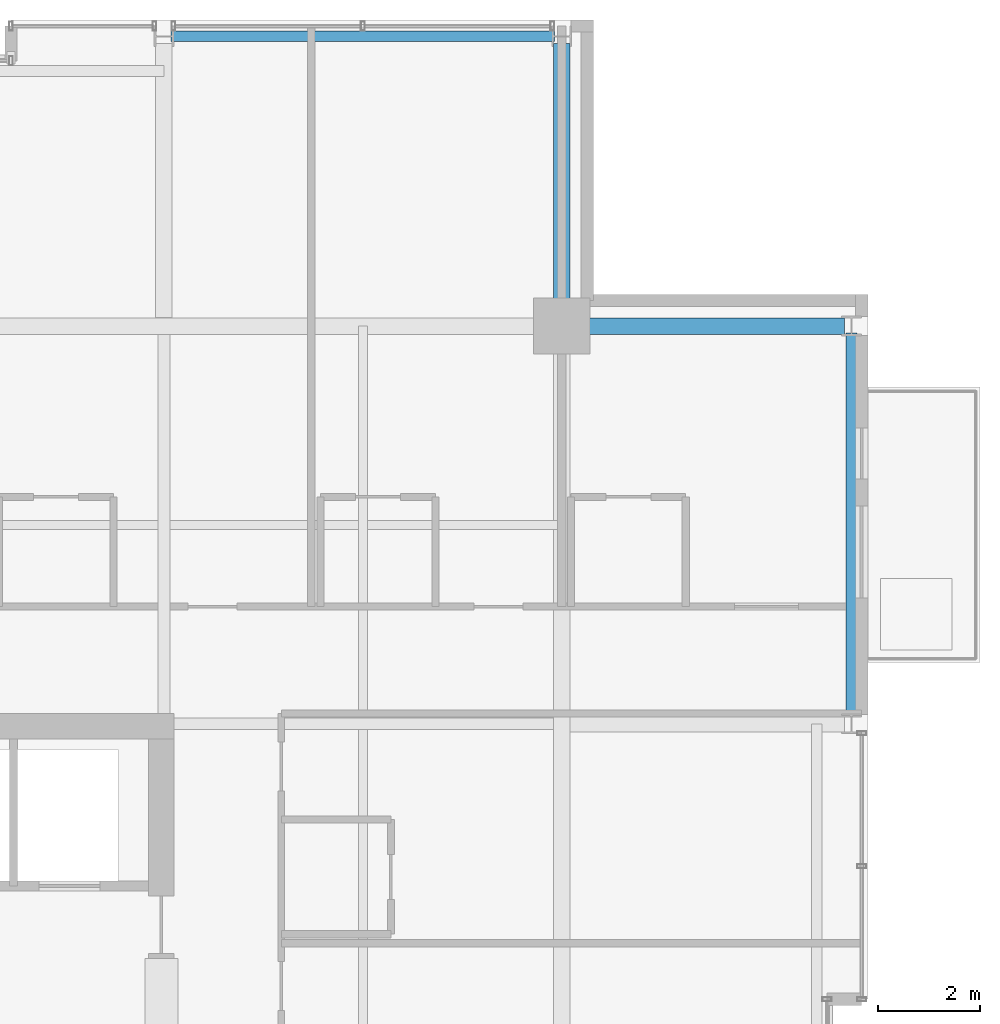
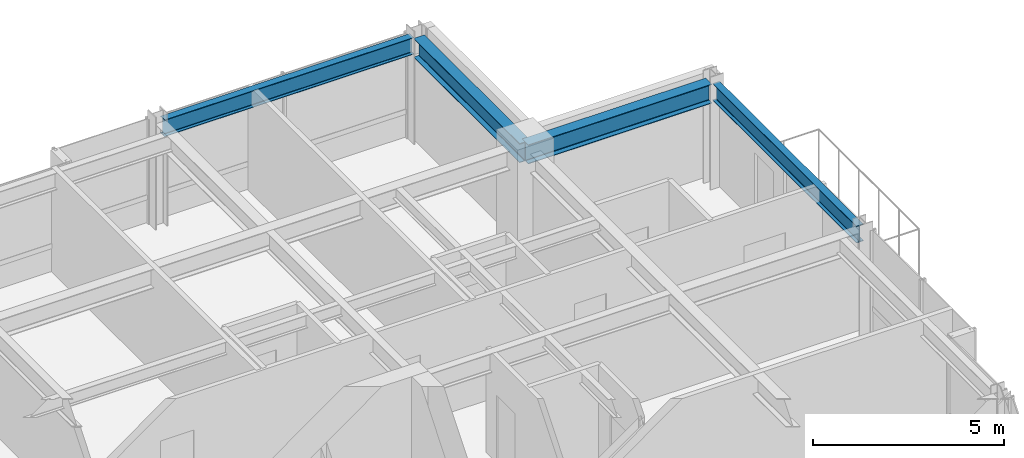
# One storey, part 23 of 33: 4 beams.
"""IFC4 building model written with IfcOpenShell, lengths in metres."""

from ifc_helpers import new_model, si_unit, direction, frame, origin, origin_2d, place, context, subcontext, project, spatial, i_section, extrude, material, material_profile, profile_set, type_object, element, save


model = new_model("IFC4")

# Units and contexts
model_context = context("Model", 3, precision=1e-05, world=origin(), true_north=direction((0.0, 1.0)))
body_context = subcontext(model_context, "Body", "Model", "MODEL_VIEW")
ifc_project = project(units=[si_unit("LENGTHUNIT", "METRE"), si_unit("AREAUNIT", "SQUARE_METRE"), si_unit("VOLUMEUNIT", "CUBIC_METRE"), si_unit("PLANEANGLEUNIT", "RADIAN"), si_unit("MASSUNIT", "GRAM", prefix="KILO")], contexts=[model_context])

# Site, building, storey
site_placement = place(None, origin())
site = spatial("IfcSite", under=ifc_project, at=site_placement, CompositionType="ELEMENT")
building_placement = place(site_placement, origin())
building = spatial("IfcBuilding", under=site, at=building_placement, Name="Drelvath Grand Hotel", CompositionType="ELEMENT")
storey_placement = place(building_placement, frame((0.0, 0.0, 212.300048828125)))
storey = spatial("IfcBuildingStorey", under=building, at=storey_placement, Name="L55", CompositionType="ELEMENT", Elevation=212.300048828125)

# Beams
ifc_material = material(Name="Steel ASTM A992 Gr 50", Category="steel")
ifc_material_profile_1 = material_profile(ifc_material, i_section(OverallWidth=0.210205078125, OverallDepth=0.53662109375, WebThickness=0.010986328125, FlangeThickness=0.017333984375, FilletRadius=0.01806640625, at=origin_2d()), Name="W21X68")
ifc_profile_set_1 = profile_set([ifc_material_profile_1], Name="Steel ASTM A992 Gr 50")
beam_type_1 = type_object("IfcBeamType", Name="Perimeter Spandrel Beam W21X68", PredefinedType="SPANDREL", material=ifc_profile_set_1)
for number, where, z_axis, x_axis, name in (
    (1, (21.8798828125, 35.5400390625, 3.071533203125), (0.0, 1.0, 0.0), (-1.0, 0.0, 0.0), "L55 Spandrel East N"),
    (2, (8.5400390625, 48.8798828125, 3.071533203125), (1.0, 0.0, 0.0), (0.0, 1.0, 0.0), "L55 Spandrel North E"),
):
    element("IfcBeam", number, at=place(storey_placement, frame(where, z_axis=z_axis, x_axis=x_axis)), inside=storey, type_object=beam_type_1, Name=name, PredefinedType="SPANDREL", context=body_context, shape_type="SweptSolid", body=[
        extrude(i_section(OverallWidth=0.210205078125, OverallDepth=0.53662109375, WebThickness=0.010986328125, FlangeThickness=0.017333984375, FilletRadius=0.01806640625, at=origin_2d()), origin(), (0.0, 0.0, 1.0), 7.52001953125),
    ])
ifc_material_profile_2 = material_profile(ifc_material, i_section(OverallWidth=0.323974609375, OverallDepth=0.611083984375, WebThickness=0.0126953125, FlangeThickness=0.01904296875, FilletRadius=0.02197265625, at=origin_2d()), Name="W24X104")
ifc_profile_set_2 = profile_set([ifc_material_profile_2], Name="Steel ASTM A992 Gr 50")
beam_type_2 = type_object("IfcBeamType", Name="Primary Floor Girder W24X104", PredefinedType="BEAM", material=ifc_profile_set_2)
for number, where, z_axis, x_axis, name in (
    (3, (16.199951171875, 43.199951171875, 3.034423828125), (1.0, 0.0, 0.0), (0.0, 1.0, 0.0), "L55 East Grid Girder G"),
    (4, (16.199951171875, 43.199951171875, 3.034423828125), (0.0, 1.0, 0.0), (-1.0, 0.0, 0.0), "L55 North Grid Girder 7"),
):
    element("IfcBeam", number, at=place(storey_placement, frame(where, z_axis=z_axis, x_axis=x_axis)), inside=storey, type_object=beam_type_2, Name=name, PredefinedType="BEAM", context=body_context, shape_type="SweptSolid", body=[
        extrude(i_section(OverallWidth=0.323974609375, OverallDepth=0.611083984375, WebThickness=0.0126953125, FlangeThickness=0.01904296875, FilletRadius=0.02197265625, at=origin_2d()), origin(), (0.0, 0.0, 1.0), 5.5400390625),
    ])

save(model, "model.ifc")
